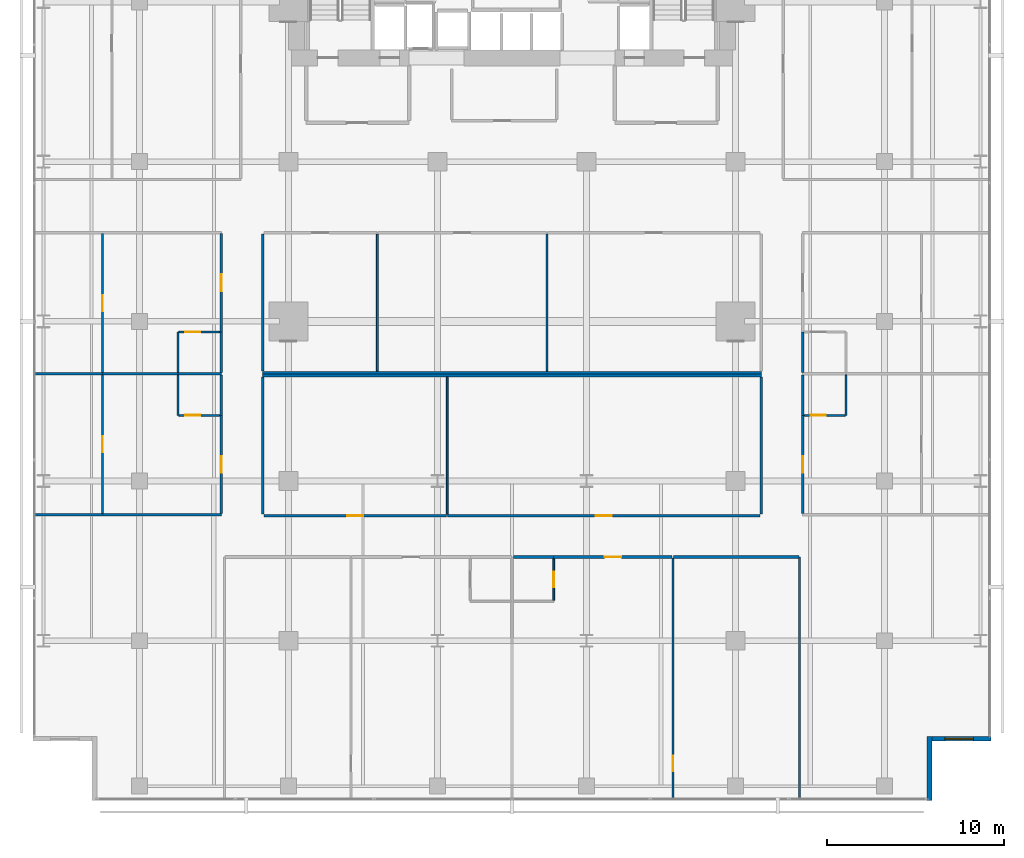
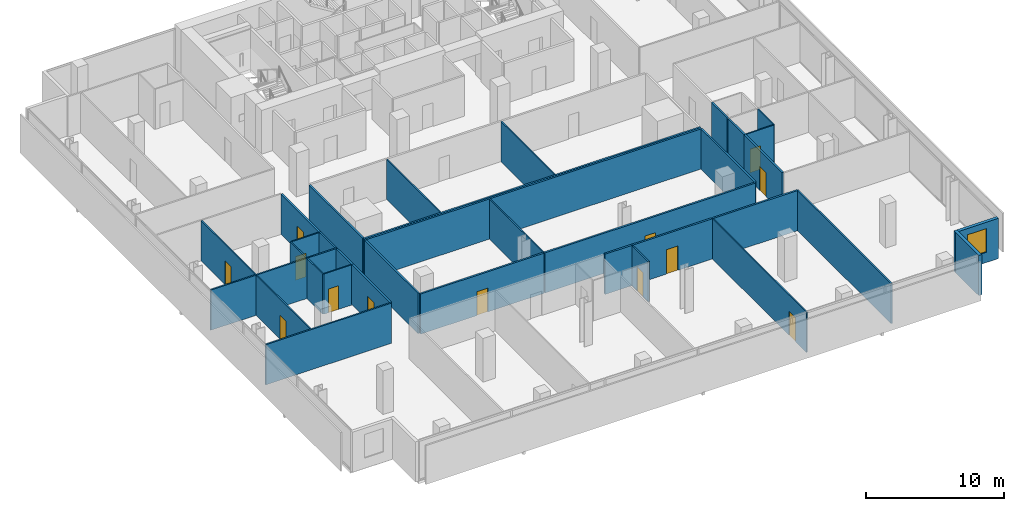
# One storey, part 33 of 39: 35 walls, 13 doors, 1 window, 14 openings.
"""IFC4 building model written with IfcOpenShell, lengths in metres."""

from ifc_helpers import new_model, si_unit, direction, frame, frame_2d, origin, place, context, subcontext, project, spatial, rectangle, extrude, material, layer, layer_set, type_object, element, fill, save


model = new_model("IFC4")

# Units and contexts
model_context = context("Model", 3, precision=1e-05, world=origin(), true_north=direction((0.0, 1.0)))
body_context = subcontext(model_context, "Body", "Model", "MODEL_VIEW")
ifc_project = project(units=[si_unit("LENGTHUNIT", "METRE"), si_unit("AREAUNIT", "SQUARE_METRE"), si_unit("VOLUMEUNIT", "CUBIC_METRE"), si_unit("PLANEANGLEUNIT", "RADIAN"), si_unit("MASSUNIT", "GRAM", prefix="KILO")], contexts=[model_context])

# Site, building, storey
site_placement = place(None, origin())
site = spatial("IfcSite", under=ifc_project, at=site_placement, CompositionType="ELEMENT")
building_placement = place(site_placement, origin())
building = spatial("IfcBuilding", under=site, at=building_placement, Name="Maruvema Waterfront Hotel and Observation Tower", CompositionType="ELEMENT")
storey_placement = place(building_placement, frame((0.0, 0.0, 111.64990234375)))
storey = spatial("IfcBuildingStorey", under=building, at=storey_placement, Name="L27", CompositionType="ELEMENT", Elevation=111.64990234375)

# Walls
ifc_material_1 = material(Name="Twin-stud acoustic gypsum drywall", Category="gypsum")
ifc_layer_1 = layer(ifc_material_1, 0.14990234375, Name="Acoustic Corridor and Suite Demising Wall 150 mm")
ifc_layer_set_1 = layer_set([ifc_layer_1], Name="Twin-stud acoustic gypsum drywall")
wall_type_1 = type_object("IfcWallType", Name="Acoustic Corridor and Suite Demising Wall 150 mm", PredefinedType="PARTITIONING", material=ifc_layer_set_1)
wall_1_placement = place(storey_placement, frame((23.75, 24.110107421875, 0.0), z_axis=(0.0, 0.0, 1.0), x_axis=(1.0, 0.0, 0.0)))
element("IfcWall", 1, at=wall_1_placement, inside=storey, type_object=wall_type_1, Name="L27 L27-INTN Back Wall 016", PredefinedType="PARTITIONING", context=body_context, shape_type="SweptSolid", body=[
    extrude(rectangle(XDim=28.10009765625, YDim=0.14990234375, at=frame_2d((14.050048828125, 0.0))), origin(), (0.0, 0.0, 1.0), 3.550048828125),
])
wall_2_placement = place(storey_placement, frame((23.75, 24.18994140625, 0.0), z_axis=(0.0, 0.0, 1.0), x_axis=(0.0, 1.0, 0.0)))
element("IfcWall", 2, at=wall_2_placement, inside=storey, type_object=wall_type_1, Name="L27 L27-INTN West Wall 017", PredefinedType="PARTITIONING", context=body_context, shape_type="SweptSolid", body=[
    extrude(rectangle(XDim=7.72998046875, YDim=0.14990234375, at=frame_2d((3.864990234375, 0.0))), origin(), (0.0, 0.0, 1.0), 3.550048828125),
])
wall_3_placement = place(storey_placement, frame((23.75, 23.949951171875, 0.0), z_axis=(0.0, 0.0, 1.0), x_axis=(1.0, 0.0, 0.0)))
element("IfcWall", 3, at=wall_3_placement, inside=storey, type_object=wall_type_1, Name="L27 L27-INTS Back Wall 024", PredefinedType="PARTITIONING", context=body_context, shape_type="SweptSolid", body=[
    extrude(rectangle(XDim=28.10009765625, YDim=0.14990234375, at=frame_2d((14.050048828125, 0.0))), origin(), (0.0, 0.0, 1.0), 3.550048828125),
])
for number, where, z_axis, x_axis, name in (
    (4, (23.75, 16.1298828125, 0.0), (0.0, 0.0, 1.0), (0.0, 1.0, 0.0), "L27 L27-INTS West Wall 025"),
    (5, (51.85009765625, 16.1298828125, 0.0), (0.0, 0.0, 1.0), (0.0, 1.0, 0.0), "L27 L27-INTS East Wall 026"),
):
    element("IfcWall", number, at=place(storey_placement, frame(where, z_axis=z_axis, x_axis=x_axis)), inside=storey, type_object=wall_type_1, Name=name, PredefinedType="PARTITIONING", context=body_context, shape_type="SweptSolid", body=[
        extrude(rectangle(XDim=7.740234375, YDim=0.14990234375, at=frame_2d((3.8701171875, 0.0))), origin(), (0.0, 0.0, 1.0), 3.550048828125),
    ])

# Wall, opening, door
wall_4_placement = place(storey_placement, frame((23.81005859375, 16.050048828125, 0.0), z_axis=(0.0, 0.0, 1.0), x_axis=(1.0, 0.0, 0.0)))
wall_4 = element("IfcWall", 6, at=wall_4_placement, inside=storey, type_object=wall_type_1, Name="L27 L27-INTS Front 1 027", PredefinedType="PARTITIONING", context=body_context, shape_type="SweptSolid", body=[
    extrude(rectangle(XDim=10.306884765625, YDim=0.14990234375, at=frame_2d((5.1533203125, 0.0))), origin(), (0.0, 0.0, 1.0), 3.550048828125),
])
opening_1_placement = place(wall_4_placement, frame((4.70361328125, 0.0, 0.0)))
opening_1 = element("IfcOpeningElement", 7, at=opening_1_placement, cuts=wall_4, Name="Opening DR-090", PredefinedType="OPENING", context=body_context, shape_type="SweptSolid", body=[
    extrude(rectangle(XDim=0.89990234375, YDim=2.10009765625, at=frame_2d((0.449951171875, 1.050048828125))), frame((0.0, 0.0849609375, 0.0), z_axis=(0.0, -1.0, 0.0), x_axis=(1.0, 0.0, 0.0)), (0.0, 0.0, 1.0), 0.169921875),
])
ifc_material_2 = material(Name="Solid-core lacquered timber leaf", Category="wood")
door_type_1 = type_object("IfcDoorType", Name="Accessible Toilet and Room Door 900x2100 mm", OperationType="NOTDEFINED", PredefinedType="DOOR", material=ifc_material_2)
door_1_placement = place(opening_1_placement, frame((0.89990234375, 0.0, 0.0), z_axis=(0.0, 0.0, 1.0), x_axis=(-1.0, 0.0, 0.0)))
door_1 = element("IfcDoor", 8, at=door_1_placement, inside=storey, type_object=door_type_1, Name="L27 Ambassador Reception Salon Door", OperationType="SINGLE_SWING_RIGHT", OverallHeight=2.10009765625, OverallWidth=0.89990234375, PredefinedType="DOOR", context=body_context, shape_type="SweptSolid", body=[
    extrude(rectangle(XDim=0.89990234375, YDim=2.10009765625, at=frame_2d((0.449951171875, 1.050048828125))), frame((0.0, 0.02490234375, 0.0), z_axis=(0.0, -1.0, 0.0), x_axis=(1.0, 0.0, 0.0)), (0.0, 0.0, 1.0), 0.050048828125),
])
fill(opening_1, door_1)

wall_5_placement = place(storey_placement, frame((34.177001953125, 16.050048828125, 0.0), z_axis=(0.0, 0.0, 1.0), x_axis=(1.0, 0.0, 0.0)))
wall_5 = element("IfcWall", 9, at=wall_5_placement, inside=storey, type_object=wall_type_1, Name="L27 L27-INTS Front 2 029", PredefinedType="PARTITIONING", context=body_context, shape_type="SweptSolid", body=[
    extrude(rectangle(XDim=17.613037109375, YDim=0.14990234375, at=frame_2d((8.806640625, 0.0))), origin(), (0.0, 0.0, 1.0), 3.550048828125),
])
opening_2_placement = place(wall_5_placement, frame((8.3564453125, 0.0, 0.0)))
opening_2 = element("IfcOpeningElement", 10, at=opening_2_placement, cuts=wall_5, Name="Opening DR-090", PredefinedType="OPENING", context=body_context, shape_type="SweptSolid", body=[
    extrude(rectangle(XDim=0.89990234375, YDim=2.10009765625, at=frame_2d((0.449951171875, 1.050048828125))), frame((0.0, 0.0849609375, 0.0), z_axis=(0.0, -1.0, 0.0), x_axis=(1.0, 0.0, 0.0)), (0.0, 0.0, 1.0), 0.169921875),
])
door_2_placement = place(opening_2_placement, frame((0.89990234375, 0.0, 0.0), z_axis=(0.0, 0.0, 1.0), x_axis=(-1.0, 0.0, 0.0)))
door_2 = element("IfcDoor", 11, at=door_2_placement, inside=storey, type_object=door_type_1, Name="L27 Housekeeping Linen Room Door", OperationType="SINGLE_SWING_LEFT", OverallHeight=2.10009765625, OverallWidth=0.89990234375, PredefinedType="DOOR", context=body_context, shape_type="SweptSolid", body=[
    extrude(rectangle(XDim=0.89990234375, YDim=2.10009765625, at=frame_2d((0.449951171875, 1.050048828125))), frame((0.0, 0.02490234375, 0.0), z_axis=(0.0, -1.0, 0.0), x_axis=(1.0, 0.0, 0.0)), (0.0, 0.0, 1.0), 0.050048828125),
])
fill(opening_2, door_2)

# Wall
wall_6_placement = place(storey_placement, frame((37.8798828125, 13.719970703125, 0.0), z_axis=(0.0, 0.0, 1.0), x_axis=(1.0, 0.0, 0.0)))
element("IfcWall", 12, at=wall_6_placement, inside=storey, type_object=wall_type_1, Name="L27 Bath L27-S2 Back Wall 039", PredefinedType="PARTITIONING", context=body_context, shape_type="SweptSolid", body=[
    extrude(rectangle(XDim=2.27001953125, YDim=0.14990234375, at=frame_2d((1.135009765625, 0.0))), origin(), (0.0, 0.0, 1.0), 3.550048828125),
])

# Wall, opening, door
wall_7_placement = place(storey_placement, frame((40.14990234375, 13.719970703125, 0.0), z_axis=(0.0, 0.0, 1.0), x_axis=(1.0, 0.0, 0.0)))
wall_7 = element("IfcWall", 13, at=wall_7_placement, inside=storey, type_object=wall_type_1, Name="L27 Unit L27-S2 Corridor Wall 042", PredefinedType="PARTITIONING", context=body_context, shape_type="SweptSolid", body=[
    extrude(rectangle(XDim=6.68212890625, YDim=0.14990234375, at=frame_2d((3.341064453125, 0.0))), origin(), (0.0, 0.0, 1.0), 3.550048828125),
])
opening_3_placement = place(wall_7_placement, frame((2.865966796875, 0.0, 0.0)))
opening_3 = element("IfcOpeningElement", 14, at=opening_3_placement, cuts=wall_7, Name="Opening DR-095", PredefinedType="OPENING", context=body_context, shape_type="SweptSolid", body=[
    extrude(rectangle(XDim=0.949951171875, YDim=2.14990234375, at=frame_2d((0.47509765625, 1.074951171875))), frame((0.0, 0.0849609375, 0.0), z_axis=(0.0, -1.0, 0.0), x_axis=(1.0, 0.0, 0.0)), (0.0, 0.0, 1.0), 0.169921875),
])
ifc_material_3 = material(Name="Acoustic solid-core hardwood timber leaf", Category="wood")
door_type_2 = type_object("IfcDoorType", Name="Guestroom Entrance Fire Door 950x2150 mm", OperationType="NOTDEFINED", PredefinedType="DOOR", material=ifc_material_3)
door_3_placement = place(opening_3_placement, frame((0.949951171875, 0.0, 0.0), z_axis=(0.0, 0.0, 1.0), x_axis=(-1.0, 0.0, 0.0)))
door_3 = element("IfcDoor", 15, at=door_3_placement, inside=storey, type_object=door_type_2, Name="L27 Unit L27-S2 Entrance Door", OperationType="SINGLE_SWING_RIGHT", OverallHeight=2.14990234375, OverallWidth=0.949951171875, PredefinedType="DOOR", context=body_context, shape_type="SweptSolid", body=[
    extrude(rectangle(XDim=0.949951171875, YDim=2.14990234375, at=frame_2d((0.47509765625, 1.074951171875))), frame((0.0, 0.02490234375, 0.0), z_axis=(0.0, -1.0, 0.0), x_axis=(1.0, 0.0, 0.0)), (0.0, 0.0, 1.0), 0.050048828125),
])
fill(opening_3, door_3)

# Wall
wall_8_placement = place(storey_placement, frame((46.912109375, 13.719970703125, 0.0), z_axis=(0.0, 0.0, 1.0), x_axis=(1.0, 0.0, 0.0)))
element("IfcWall", 16, at=wall_8_placement, inside=storey, type_object=wall_type_1, Name="L27 Bedroom L27-S2 Back Wall 043", PredefinedType="PARTITIONING", context=body_context, shape_type="SweptSolid", body=[
    extrude(rectangle(XDim=7.06787109375, YDim=0.14990234375, at=frame_2d((3.533935546875, 0.0))), origin(), (0.0, 0.0, 1.0), 3.550048828125),
])

# Wall, opening, door
wall_9_placement = place(storey_placement, frame((21.419921875, 16.159912109375, 0.0), z_axis=(0.0, 0.0, 1.0), x_axis=(0.0, 1.0, 0.0)))
wall_9 = element("IfcWall", 17, at=wall_9_placement, inside=storey, type_object=wall_type_1, Name="L27 Room L27-W1 Corridor Wall 049", PredefinedType="PARTITIONING", context=body_context, shape_type="SweptSolid", body=[
    extrude(rectangle(XDim=5.5400390625, YDim=0.14990234375, at=frame_2d((2.77001953125, 0.0))), origin(), (0.0, 0.0, 1.0), 3.550048828125),
])
opening_4_placement = place(wall_9_placement, frame((2.294921875, 0.0, 0.0)))
opening_4 = element("IfcOpeningElement", 18, at=opening_4_placement, cuts=wall_9, Name="Opening DR-095", PredefinedType="OPENING", context=body_context, shape_type="SweptSolid", body=[
    extrude(rectangle(XDim=0.949951171875, YDim=2.14990234375, at=frame_2d((0.47509765625, 1.074951171875))), frame((0.0, 0.0849609375, 0.0), z_axis=(0.0, -1.0, 0.0), x_axis=(1.0, 0.0, 0.0)), (0.0, 0.0, 1.0), 0.169921875),
])
door_4_placement = place(opening_4_placement, origin())
door_4 = element("IfcDoor", 19, at=door_4_placement, inside=storey, type_object=door_type_2, Name="L27 Room L27-W1 Entrance Door", OperationType="SINGLE_SWING_LEFT", OverallHeight=2.14990234375, OverallWidth=0.949951171875, PredefinedType="DOOR", context=body_context, shape_type="SweptSolid", body=[
    extrude(rectangle(XDim=0.949951171875, YDim=2.14990234375, at=frame_2d((0.47509765625, 1.074951171875))), frame((0.0, 0.02490234375, 0.0), z_axis=(0.0, -1.0, 0.0), x_axis=(1.0, 0.0, 0.0)), (0.0, 0.0, 1.0), 0.050048828125),
])
fill(opening_4, door_4)

# Wall
wall_10_placement = place(storey_placement, frame((21.419921875, 21.699951171875, 0.0), z_axis=(0.0, 0.0, 1.0), x_axis=(0.0, 1.0, 0.0)))
element("IfcWall", 20, at=wall_10_placement, inside=storey, type_object=wall_type_1, Name="L27 Bath L27-W1 Wall 050", PredefinedType="PARTITIONING", context=body_context, shape_type="SweptSolid", body=[
    extrude(rectangle(XDim=2.2900390625, YDim=0.14990234375, at=frame_2d((1.14501953125, 0.0))), origin(), (0.0, 0.0, 1.0), 3.550048828125),
])

# Wall, opening, door
wall_11_placement = place(storey_placement, frame((54.179931640625, 16.159912109375, 0.0), z_axis=(0.0, 0.0, 1.0), x_axis=(0.0, 1.0, 0.0)))
wall_11 = element("IfcWall", 21, at=wall_11_placement, inside=storey, type_object=wall_type_1, Name="L27 Room L27-E1 Corridor Wall 054", PredefinedType="PARTITIONING", context=body_context, shape_type="SweptSolid", body=[
    extrude(rectangle(XDim=5.5400390625, YDim=0.14990234375, at=frame_2d((2.77001953125, 0.0))), origin(), (0.0, 0.0, 1.0), 3.550048828125),
])
opening_5_placement = place(wall_11_placement, frame((2.294921875, 0.0, 0.0)))
opening_5 = element("IfcOpeningElement", 22, at=opening_5_placement, cuts=wall_11, Name="Opening DR-095", PredefinedType="OPENING", context=body_context, shape_type="SweptSolid", body=[
    extrude(rectangle(XDim=0.949951171875, YDim=2.14990234375, at=frame_2d((0.47509765625, 1.074951171875))), frame((0.0, 0.0849609375, 0.0), z_axis=(0.0, -1.0, 0.0), x_axis=(1.0, 0.0, 0.0)), (0.0, 0.0, 1.0), 0.169921875),
])
door_5_placement = place(opening_5_placement, frame((0.949951171875, 0.0, 0.0), z_axis=(0.0, 0.0, 1.0), x_axis=(-1.0, 0.0, 0.0)))
door_5 = element("IfcDoor", 23, at=door_5_placement, inside=storey, type_object=door_type_2, Name="L27 Room L27-E1 Entrance Door", OperationType="SINGLE_SWING_RIGHT", OverallHeight=2.14990234375, OverallWidth=0.949951171875, PredefinedType="DOOR", context=body_context, shape_type="SweptSolid", body=[
    extrude(rectangle(XDim=0.949951171875, YDim=2.14990234375, at=frame_2d((0.47509765625, 1.074951171875))), frame((0.0, 0.02490234375, 0.0), z_axis=(0.0, -1.0, 0.0), x_axis=(1.0, 0.0, 0.0)), (0.0, 0.0, 1.0), 0.050048828125),
])
fill(opening_5, door_5)

# Walls
wall_12_placement = place(storey_placement, frame((54.179931640625, 21.699951171875, 0.0), z_axis=(0.0, 0.0, 1.0), x_axis=(0.0, 1.0, 0.0)))
element("IfcWall", 24, at=wall_12_placement, inside=storey, type_object=wall_type_1, Name="L27 Bath L27-E1 Wall 055", PredefinedType="PARTITIONING", context=body_context, shape_type="SweptSolid", body=[
    extrude(rectangle(XDim=2.2900390625, YDim=0.14990234375, at=frame_2d((1.14501953125, 0.0))), origin(), (0.0, 0.0, 1.0), 3.550048828125),
])
wall_13_placement = place(storey_placement, frame((21.419921875, 24.110107421875, 0.0), z_axis=(0.0, 0.0, 1.0), x_axis=(0.0, 1.0, 0.0)))
element("IfcWall", 25, at=wall_13_placement, inside=storey, type_object=wall_type_1, Name="L27 Bath L27-W2 Wall 061", PredefinedType="PARTITIONING", context=body_context, shape_type="SweptSolid", body=[
    extrude(rectangle(XDim=2.289794921875, YDim=0.14990234375, at=frame_2d((1.14501953125, 0.0))), origin(), (0.0, 0.0, 1.0), 3.550048828125),
])

# Wall, opening, door
wall_14_placement = place(storey_placement, frame((21.419921875, 26.39990234375, 0.0), z_axis=(0.0, 0.0, 1.0), x_axis=(0.0, 1.0, 0.0)))
wall_14 = element("IfcWall", 26, at=wall_14_placement, inside=storey, type_object=wall_type_1, Name="L27 Room L27-W2 Corridor Wall 062", PredefinedType="PARTITIONING", context=body_context, shape_type="SweptSolid", body=[
    extrude(rectangle(XDim=5.5400390625, YDim=0.14990234375, at=frame_2d((2.77001953125, 0.0))), origin(), (0.0, 0.0, 1.0), 3.550048828125),
])
opening_6_placement = place(wall_14_placement, frame((2.294921875, 0.0, 0.0)))
opening_6 = element("IfcOpeningElement", 27, at=opening_6_placement, cuts=wall_14, Name="Opening DR-095", PredefinedType="OPENING", context=body_context, shape_type="SweptSolid", body=[
    extrude(rectangle(XDim=0.949951171875, YDim=2.14990234375, at=frame_2d((0.47509765625, 1.074951171875))), frame((0.0, 0.0849609375, 0.0), z_axis=(0.0, -1.0, 0.0), x_axis=(1.0, 0.0, 0.0)), (0.0, 0.0, 1.0), 0.169921875),
])
door_6_placement = place(opening_6_placement, origin())
door_6 = element("IfcDoor", 28, at=door_6_placement, inside=storey, type_object=door_type_2, Name="L27 Room L27-W2 Entrance Door", OperationType="SINGLE_SWING_LEFT", OverallHeight=2.14990234375, OverallWidth=0.949951171875, PredefinedType="DOOR", context=body_context, shape_type="SweptSolid", body=[
    extrude(rectangle(XDim=0.949951171875, YDim=2.14990234375, at=frame_2d((0.47509765625, 1.074951171875))), frame((0.0, 0.02490234375, 0.0), z_axis=(0.0, -1.0, 0.0), x_axis=(1.0, 0.0, 0.0)), (0.0, 0.0, 1.0), 0.050048828125),
])
fill(opening_6, door_6)

# Walls
wall_15_placement = place(storey_placement, frame((54.179931640625, 24.110107421875, 0.0), z_axis=(0.0, 0.0, 1.0), x_axis=(0.0, 1.0, 0.0)))
element("IfcWall", 29, at=wall_15_placement, inside=storey, type_object=wall_type_1, Name="L27 Bath L27-E2 Wall 066", PredefinedType="PARTITIONING", context=body_context, shape_type="SweptSolid", body=[
    extrude(rectangle(XDim=2.289794921875, YDim=0.14990234375, at=frame_2d((1.14501953125, 0.0))), origin(), (0.0, 0.0, 1.0), 3.550048828125),
])
ifc_material_4 = material(Name="Moisture-resistant cement-board drywall", Category="gypsum")
ifc_layer_2 = layer(ifc_material_4, 0.10009765625, Name="En-Suite Moisture-Resistant Partition 100 mm")
ifc_layer_set_2 = layer_set([ifc_layer_2], Name="Moisture-resistant cement-board drywall")
wall_type_2 = type_object("IfcWallType", Name="En-Suite Moisture-Resistant Partition 100 mm", PredefinedType="PARTITIONING", material=ifc_layer_set_2)
for number, where, z_axis, x_axis, name in (
    (30, (30.212890625, 24.18994140625, 0.0), (0.0, 0.0, 1.0), (0.0, 1.0, 0.0), "L27 L27-INTN Split 1 020"),
    (31, (39.76708984375, 24.18994140625, 0.0), (0.0, 0.0, 1.0), (0.0, 1.0, 0.0), "L27 L27-INTN Split 2 022"),
):
    element("IfcWall", number, at=place(storey_placement, frame(where, z_axis=z_axis, x_axis=x_axis)), inside=storey, type_object=wall_type_2, Name=name, PredefinedType="PARTITIONING", context=body_context, shape_type="SweptSolid", body=[
        extrude(rectangle(XDim=7.72998046875, YDim=0.10009765625, at=frame_2d((3.864990234375, 0.0))), origin(), (0.0, 0.0, 1.0), 3.550048828125),
    ])
wall_16_placement = place(storey_placement, frame((34.14697265625, 16.1298828125, 0.0), z_axis=(0.0, 0.0, 1.0), x_axis=(0.0, 1.0, 0.0)))
element("IfcWall", 32, at=wall_16_placement, inside=storey, type_object=wall_type_2, Name="L27 L27-INTS Split 1 028", PredefinedType="PARTITIONING", context=body_context, shape_type="SweptSolid", body=[
    extrude(rectangle(XDim=7.740234375, YDim=0.10009765625, at=frame_2d((3.8701171875, 0.0))), origin(), (0.0, 0.0, 1.0), 3.550048828125),
])

# Wall, opening, door
wall_17_placement = place(storey_placement, frame((40.14990234375, 11.280029296875, 0.0), z_axis=(0.0, 0.0, 1.0), x_axis=(0.0, 1.0, 0.0)))
wall_17 = element("IfcWall", 33, at=wall_17_placement, inside=storey, type_object=wall_type_2, Name="L27 En-Suite L27-S2 East 041", PredefinedType="PARTITIONING", context=body_context, shape_type="SweptSolid", body=[
    extrude(rectangle(XDim=2.340087890625, YDim=0.10009765625, at=frame_2d((1.169921875, 0.0))), origin(), (0.0, 0.0, 1.0), 3.550048828125),
])
opening_7_placement = place(wall_17_placement, frame((0.7451171875, 0.0, 0.0)))
opening_7 = element("IfcOpeningElement", 34, at=opening_7_placement, cuts=wall_17, Name="Opening DR-085", PredefinedType="OPENING", context=body_context, shape_type="SweptSolid", body=[
    extrude(rectangle(XDim=0.85009765625, YDim=2.10009765625, at=frame_2d((0.425048828125, 1.050048828125))), frame((0.0, 0.06005859375, 0.0), z_axis=(0.0, -1.0, 0.0), x_axis=(1.0, 0.0, 0.0)), (0.0, 0.0, 1.0), 0.1201171875),
])
ifc_material_5 = material(Name="Moisture-resistant solid timber leaf", Category="wood")
door_type_3 = type_object("IfcDoorType", Name="En-Suite Bathroom Door 850x2100 mm", OperationType="NOTDEFINED", PredefinedType="DOOR", material=ifc_material_5)
door_7_placement = place(opening_7_placement, frame((0.85009765625, 0.0, 0.0), z_axis=(0.0, 0.0, 1.0), x_axis=(-1.0, 0.0, 0.0)))
door_7 = element("IfcDoor", 35, at=door_7_placement, inside=storey, type_object=door_type_3, Name="L27 En-Suite L27-S2 Door", OperationType="SINGLE_SWING_LEFT", OverallHeight=2.10009765625, OverallWidth=0.85009765625, PredefinedType="DOOR", context=body_context, shape_type="SweptSolid", body=[
    extrude(rectangle(XDim=0.85009765625, YDim=2.10009765625, at=frame_2d((0.425048828125, 1.050048828125))), frame((0.0, 0.02490234375, 0.0), z_axis=(0.0, -1.0, 0.0), x_axis=(1.0, 0.0, 0.0)), (0.0, 0.0, 1.0), 0.050048828125),
])
fill(opening_7, door_7)

wall_18_placement = place(storey_placement, frame((46.8720703125, 0.030029296875, 0.0), z_axis=(0.0, 0.0, 1.0), x_axis=(0.0, 1.0, 0.0)))
wall_18 = element("IfcWall", 36, at=wall_18_placement, inside=storey, type_object=wall_type_2, Name="L27 Suite L27-S2 Split 044", PredefinedType="PARTITIONING", context=body_context, shape_type="SweptSolid", body=[
    extrude(rectangle(XDim=13.6298828125, YDim=0.10009765625, at=frame_2d((6.81494140625, 0.0))), origin(), (0.0, 0.0, 1.0), 3.550048828125),
])
opening_8_placement = place(wall_18_placement, frame((1.60009765625, 0.0, 0.0)))
opening_8 = element("IfcOpeningElement", 37, at=opening_8_placement, cuts=wall_18, Name="Opening DR-090", PredefinedType="OPENING", context=body_context, shape_type="SweptSolid", body=[
    extrude(rectangle(XDim=0.89990234375, YDim=2.10009765625, at=frame_2d((0.449951171875, 1.050048828125))), frame((0.0, 0.06005859375, 0.0), z_axis=(0.0, -1.0, 0.0), x_axis=(1.0, 0.0, 0.0)), (0.0, 0.0, 1.0), 0.1201171875),
])
door_8_placement = place(opening_8_placement, origin())
door_8 = element("IfcDoor", 38, at=door_8_placement, inside=storey, type_object=door_type_1, Name="L27 Suite L27-S2 Bedroom Door", OperationType="SINGLE_SWING_LEFT", OverallHeight=2.10009765625, OverallWidth=0.89990234375, PredefinedType="DOOR", context=body_context, shape_type="SweptSolid", body=[
    extrude(rectangle(XDim=0.89990234375, YDim=2.10009765625, at=frame_2d((0.449951171875, 1.050048828125))), frame((0.0, 0.02490234375, 0.0), z_axis=(0.0, -1.0, 0.0), x_axis=(1.0, 0.0, 0.0)), (0.0, 0.0, 1.0), 0.050048828125),
])
fill(opening_8, door_8)

# Wall
wall_19_placement = place(storey_placement, frame((18.969970703125, 21.699951171875, 0.0), z_axis=(0.0, 0.0, 1.0), x_axis=(0.0, 1.0, 0.0)))
element("IfcWall", 39, at=wall_19_placement, inside=storey, type_object=wall_type_2, Name="L27 En-Suite L27-W1 W 051", PredefinedType="PARTITIONING", context=body_context, shape_type="SweptSolid", body=[
    extrude(rectangle(XDim=2.2900390625, YDim=0.10009765625, at=frame_2d((1.14501953125, 0.0))), origin(), (0.0, 0.0, 1.0), 3.550048828125),
])

# Wall, opening, door
wall_20_placement = place(storey_placement, frame((19.02001953125, 21.699951171875, 0.0), z_axis=(0.0, 0.0, 1.0), x_axis=(1.0, 0.0, 0.0)))
wall_20 = element("IfcWall", 40, at=wall_20_placement, inside=storey, type_object=wall_type_2, Name="L27 En-Suite L27-W1 S 052", PredefinedType="PARTITIONING", context=body_context, shape_type="SweptSolid", body=[
    extrude(rectangle(XDim=2.300048828125, YDim=0.10009765625, at=frame_2d((1.14990234375, 0.0))), origin(), (0.0, 0.0, 1.0), 3.550048828125),
])
opening_9_placement = place(wall_20_placement, frame((0.35009765625, 0.0, 0.0)))
opening_9 = element("IfcOpeningElement", 41, at=opening_9_placement, cuts=wall_20, Name="Opening DR-085", PredefinedType="OPENING", context=body_context, shape_type="SweptSolid", body=[
    extrude(rectangle(XDim=0.85009765625, YDim=2.10009765625, at=frame_2d((0.425048828125, 1.050048828125))), frame((0.0, 0.06005859375, 0.0), z_axis=(0.0, -1.0, 0.0), x_axis=(1.0, 0.0, 0.0)), (0.0, 0.0, 1.0), 0.1201171875),
])
door_9_placement = place(opening_9_placement, frame((0.85009765625, 0.0, 0.0), z_axis=(0.0, 0.0, 1.0), x_axis=(-1.0, 0.0, 0.0)))
door_9 = element("IfcDoor", 42, at=door_9_placement, inside=storey, type_object=door_type_3, Name="L27 En-Suite L27-W1 Door", OperationType="SINGLE_SWING_RIGHT", OverallHeight=2.10009765625, OverallWidth=0.85009765625, PredefinedType="DOOR", context=body_context, shape_type="SweptSolid", body=[
    extrude(rectangle(XDim=0.85009765625, YDim=2.10009765625, at=frame_2d((0.425048828125, 1.050048828125))), frame((0.0, 0.02490234375, 0.0), z_axis=(0.0, -1.0, 0.0), x_axis=(1.0, 0.0, 0.0)), (0.0, 0.0, 1.0), 0.050048828125),
])
fill(opening_9, door_9)

wall_21_placement = place(storey_placement, frame((14.7216796875, 16.159912109375, 0.0), z_axis=(0.0, 0.0, 1.0), x_axis=(0.0, 1.0, 0.0)))
wall_21 = element("IfcWall", 43, at=wall_21_placement, inside=storey, type_object=wall_type_2, Name="L27 Suite L27-W1 Split 053", PredefinedType="PARTITIONING", context=body_context, shape_type="SweptSolid", body=[
    extrude(rectangle(XDim=7.830078125, YDim=0.10009765625, at=frame_2d((3.9150390625, 0.0))), origin(), (0.0, 0.0, 1.0), 3.550048828125),
])
opening_10_placement = place(wall_21_placement, frame((3.465087890625, 0.0, 0.0)))
opening_10 = element("IfcOpeningElement", 44, at=opening_10_placement, cuts=wall_21, Name="Opening DR-090", PredefinedType="OPENING", context=body_context, shape_type="SweptSolid", body=[
    extrude(rectangle(XDim=0.89990234375, YDim=2.10009765625, at=frame_2d((0.449951171875, 1.050048828125))), frame((0.0, 0.06005859375, 0.0), z_axis=(0.0, -1.0, 0.0), x_axis=(1.0, 0.0, 0.0)), (0.0, 0.0, 1.0), 0.1201171875),
])
door_10_placement = place(opening_10_placement, origin())
door_10 = element("IfcDoor", 45, at=door_10_placement, inside=storey, type_object=door_type_1, Name="L27 Suite L27-W1 Bedroom Door", OperationType="SINGLE_SWING_RIGHT", OverallHeight=2.10009765625, OverallWidth=0.89990234375, PredefinedType="DOOR", context=body_context, shape_type="SweptSolid", body=[
    extrude(rectangle(XDim=0.89990234375, YDim=2.10009765625, at=frame_2d((0.449951171875, 1.050048828125))), frame((0.0, 0.02490234375, 0.0), z_axis=(0.0, -1.0, 0.0), x_axis=(1.0, 0.0, 0.0)), (0.0, 0.0, 1.0), 0.050048828125),
])
fill(opening_10, door_10)

# Wall
wall_22_placement = place(storey_placement, frame((56.6298828125, 21.699951171875, 0.0), z_axis=(0.0, 0.0, 1.0), x_axis=(0.0, 1.0, 0.0)))
element("IfcWall", 46, at=wall_22_placement, inside=storey, type_object=wall_type_2, Name="L27 En-Suite L27-E1 E 056", PredefinedType="PARTITIONING", context=body_context, shape_type="SweptSolid", body=[
    extrude(rectangle(XDim=2.2900390625, YDim=0.10009765625, at=frame_2d((1.14501953125, 0.0))), origin(), (0.0, 0.0, 1.0), 3.550048828125),
])

# Wall, opening, door
wall_23_placement = place(storey_placement, frame((54.280029296875, 21.699951171875, 0.0), z_axis=(0.0, 0.0, 1.0), x_axis=(1.0, 0.0, 0.0)))
wall_23 = element("IfcWall", 47, at=wall_23_placement, inside=storey, type_object=wall_type_2, Name="L27 En-Suite L27-E1 S 057", PredefinedType="PARTITIONING", context=body_context, shape_type="SweptSolid", body=[
    extrude(rectangle(XDim=2.300048828125, YDim=0.10009765625, at=frame_2d((1.14990234375, 0.0))), origin(), (0.0, 0.0, 1.0), 3.550048828125),
])
opening_11_placement = place(wall_23_placement, frame((0.35009765625, 0.0, 0.0)))
opening_11 = element("IfcOpeningElement", 48, at=opening_11_placement, cuts=wall_23, Name="Opening DR-085", PredefinedType="OPENING", context=body_context, shape_type="SweptSolid", body=[
    extrude(rectangle(XDim=0.85009765625, YDim=2.10009765625, at=frame_2d((0.425048828125, 1.050048828125))), frame((0.0, 0.06005859375, 0.0), z_axis=(0.0, -1.0, 0.0), x_axis=(1.0, 0.0, 0.0)), (0.0, 0.0, 1.0), 0.1201171875),
])
door_11_placement = place(opening_11_placement, frame((0.85009765625, 0.0, 0.0), z_axis=(0.0, 0.0, 1.0), x_axis=(-1.0, 0.0, 0.0)))
door_11 = element("IfcDoor", 49, at=door_11_placement, inside=storey, type_object=door_type_3, Name="L27 En-Suite L27-E1 Door", OperationType="SINGLE_SWING_LEFT", OverallHeight=2.10009765625, OverallWidth=0.85009765625, PredefinedType="DOOR", context=body_context, shape_type="SweptSolid", body=[
    extrude(rectangle(XDim=0.85009765625, YDim=2.10009765625, at=frame_2d((0.425048828125, 1.050048828125))), frame((0.0, 0.02490234375, 0.0), z_axis=(0.0, -1.0, 0.0), x_axis=(1.0, 0.0, 0.0)), (0.0, 0.0, 1.0), 0.050048828125),
])
fill(opening_11, door_11)

# Wall
wall_24_placement = place(storey_placement, frame((18.969970703125, 24.110107421875, 0.0), z_axis=(0.0, 0.0, 1.0), x_axis=(0.0, 1.0, 0.0)))
element("IfcWall", 50, at=wall_24_placement, inside=storey, type_object=wall_type_2, Name="L27 En-Suite L27-W2 W 063", PredefinedType="PARTITIONING", context=body_context, shape_type="SweptSolid", body=[
    extrude(rectangle(XDim=2.289794921875, YDim=0.10009765625, at=frame_2d((1.14501953125, 0.0))), origin(), (0.0, 0.0, 1.0), 3.550048828125),
])

# Wall, opening, door
wall_25_placement = place(storey_placement, frame((19.02001953125, 26.39990234375, 0.0), z_axis=(0.0, 0.0, 1.0), x_axis=(1.0, 0.0, 0.0)))
wall_25 = element("IfcWall", 51, at=wall_25_placement, inside=storey, type_object=wall_type_2, Name="L27 En-Suite L27-W2 N 064", PredefinedType="PARTITIONING", context=body_context, shape_type="SweptSolid", body=[
    extrude(rectangle(XDim=2.300048828125, YDim=0.10009765625, at=frame_2d((1.14990234375, 0.0))), origin(), (0.0, 0.0, 1.0), 3.550048828125),
])
opening_12_placement = place(wall_25_placement, frame((0.35009765625, 0.0, 0.0)))
opening_12 = element("IfcOpeningElement", 52, at=opening_12_placement, cuts=wall_25, Name="Opening DR-085", PredefinedType="OPENING", context=body_context, shape_type="SweptSolid", body=[
    extrude(rectangle(XDim=0.85009765625, YDim=2.10009765625, at=frame_2d((0.425048828125, 1.050048828125))), frame((0.0, 0.06005859375, 0.0), z_axis=(0.0, -1.0, 0.0), x_axis=(1.0, 0.0, 0.0)), (0.0, 0.0, 1.0), 0.1201171875),
])
door_12_placement = place(opening_12_placement, origin())
door_12 = element("IfcDoor", 53, at=door_12_placement, inside=storey, type_object=door_type_3, Name="L27 En-Suite L27-W2 Door", OperationType="SINGLE_SWING_RIGHT", OverallHeight=2.10009765625, OverallWidth=0.85009765625, PredefinedType="DOOR", context=body_context, shape_type="SweptSolid", body=[
    extrude(rectangle(XDim=0.85009765625, YDim=2.10009765625, at=frame_2d((0.425048828125, 1.050048828125))), frame((0.0, 0.02490234375, 0.0), z_axis=(0.0, -1.0, 0.0), x_axis=(1.0, 0.0, 0.0)), (0.0, 0.0, 1.0), 0.050048828125),
])
fill(opening_12, door_12)

wall_26_placement = place(storey_placement, frame((14.7216796875, 24.110107421875, 0.0), z_axis=(0.0, 0.0, 1.0), x_axis=(0.0, 1.0, 0.0)))
wall_26 = element("IfcWall", 54, at=wall_26_placement, inside=storey, type_object=wall_type_2, Name="L27 Suite L27-W2 Split 065", PredefinedType="PARTITIONING", context=body_context, shape_type="SweptSolid", body=[
    extrude(rectangle(XDim=7.829833984375, YDim=0.10009765625, at=frame_2d((3.9150390625, 0.0))), origin(), (0.0, 0.0, 1.0), 3.550048828125),
])
opening_13_placement = place(wall_26_placement, frame((3.465087890625, 0.0, 0.0)))
opening_13 = element("IfcOpeningElement", 55, at=opening_13_placement, cuts=wall_26, Name="Opening DR-090", PredefinedType="OPENING", context=body_context, shape_type="SweptSolid", body=[
    extrude(rectangle(XDim=0.89990234375, YDim=2.10009765625, at=frame_2d((0.449951171875, 1.050048828125))), frame((0.0, 0.06005859375, 0.0), z_axis=(0.0, -1.0, 0.0), x_axis=(1.0, 0.0, 0.0)), (0.0, 0.0, 1.0), 0.1201171875),
])
door_13_placement = place(opening_13_placement, origin())
door_13 = element("IfcDoor", 56, at=door_13_placement, inside=storey, type_object=door_type_1, Name="L27 Suite L27-W2 Bedroom Door", OperationType="SINGLE_SWING_RIGHT", OverallHeight=2.10009765625, OverallWidth=0.89990234375, PredefinedType="DOOR", context=body_context, shape_type="SweptSolid", body=[
    extrude(rectangle(XDim=0.89990234375, YDim=2.10009765625, at=frame_2d((0.449951171875, 1.050048828125))), frame((0.0, 0.02490234375, 0.0), z_axis=(0.0, -1.0, 0.0), x_axis=(1.0, 0.0, 0.0)), (0.0, 0.0, 1.0), 0.050048828125),
])
fill(opening_13, door_13)

# Wall
ifc_material_6 = material(Name="Precast concrete C45/55 with honed Pernambuco granite facing", Category="masonry")
ifc_layer_3 = layer(ifc_material_6, 0.260009765625, Name="Exterior Granite Clad Spandrel and Pier Wall 260 mm")
ifc_layer_set_3 = layer_set([ifc_layer_3], Name="Precast concrete C45/55 with honed Pernambuco granite facing")
wall_type_3 = type_object("IfcWallType", Name="Exterior Granite Clad Spandrel and Pier Wall 260 mm", PredefinedType="SOLIDWALL", material=ifc_layer_set_3)
wall_27_placement = place(storey_placement, frame((61.330078125, 3.60009765625, 0.0), z_axis=(0.0, 0.0, 1.0), x_axis=(0.0, -1.0, 0.0)))
element("IfcWall", 57, at=wall_27_placement, inside=storey, type_object=wall_type_3, Name="L27 Corner Notch Granite Pier Wall SE1", PredefinedType="SOLIDWALL", context=body_context, shape_type="SweptSolid", body=[
    extrude(rectangle(XDim=3.60009765625, YDim=0.260009765625, at=frame_2d((1.800048828125, 0.0))), origin(), (0.0, 0.0, 1.0), 3.550048828125),
])

# Wall, opening, window
wall_28_placement = place(storey_placement, frame((64.800048828125, 3.469970703125, 0.0), z_axis=(0.0, 0.0, 1.0), x_axis=(-1.0, 0.0, 0.0)))
wall_28 = element("IfcWall", 58, at=wall_28_placement, inside=storey, type_object=wall_type_3, Name="L27 Corner Notch Granite Pier Wall SE2", PredefinedType="SOLIDWALL", context=body_context, shape_type="SweptSolid", body=[
    extrude(rectangle(XDim=3.60009765625, YDim=0.260009765625, at=frame_2d((1.800048828125, 0.0))), origin(), (0.0, 0.0, 1.0), 3.550048828125),
])
opening_14_placement = place(wall_28_placement, frame((1.0, 0.0, 0.89990234375)))
opening_14 = element("IfcOpeningElement", 59, at=opening_14_placement, cuts=wall_28, Name="Opening WN-01", PredefinedType="OPENING", context=body_context, shape_type="SweptSolid", body=[
    extrude(rectangle(XDim=1.60009765625, YDim=2.10009765625, at=frame_2d((0.800048828125, 1.050048828125))), frame((0.0, 0.14013671875, 0.0), z_axis=(0.0, -1.0, 0.0), x_axis=(1.0, 0.0, 0.0)), (0.0, 0.0, 1.0), 0.280029296875),
])
ifc_material_7 = material(Name="Anodised bronze aluminium frame with laminated low-E glass", Category="aluminium")
window_type = type_object("IfcWindowType", Name="Corner Notch Feature Window 1600x2100 mm", PartitioningType="SINGLE_PANEL", PredefinedType="WINDOW", material=ifc_material_7)
window_placement = place(opening_14_placement, origin())
window = element("IfcWindow", 60, at=window_placement, inside=storey, type_object=window_type, Name="L27 Corner Notch Punched Window SE2", OverallHeight=2.10009765625, OverallWidth=1.60009765625, PartitioningType="SINGLE_PANEL", PredefinedType="WINDOW", context=body_context, shape_type="SweptSolid", body=[
    extrude(rectangle(XDim=1.60009765625, YDim=2.10009765625, at=frame_2d((0.800048828125, 1.050048828125))), frame((0.0, 0.030029296875, 0.0), z_axis=(0.0, -1.0, 0.0), x_axis=(1.0, 0.0, 0.0)), (0.0, 0.0, 1.0), 0.06005859375),
])
fill(opening_14, window)

# Walls
ifc_material_8 = material(Name="Acoustic gypsum plasterboard drywall", Category="gypsum")
ifc_layer_4 = layer(ifc_material_8, 0.125, Name="Guestroom Acoustic Demising Wall 125 mm")
ifc_layer_set_4 = layer_set([ifc_layer_4], Name="Acoustic gypsum plasterboard drywall")
wall_type_4 = type_object("IfcWallType", Name="Guestroom Acoustic Demising Wall 125 mm", PredefinedType="PARTITIONING", material=ifc_layer_set_4)
wall_29_placement = place(storey_placement, frame((54.0, 0.10009765625, 0.0), z_axis=(0.0, 0.0, 1.0), x_axis=(0.0, 1.0, 0.0)))
element("IfcWall", 61, at=wall_29_placement, inside=storey, type_object=wall_type_4, Name="L27 S East End 031", PredefinedType="PARTITIONING", context=body_context, shape_type="SweptSolid", body=[
    extrude(rectangle(XDim=13.619873046875, YDim=0.125, at=frame_2d((6.81005859375, 0.0))), origin(), (0.0, 0.0, 1.0), 3.550048828125),
])
for number, where, z_axis, x_axis, name in (
    (62, (10.89990234375, 16.10009765625, 0.0), (0.0, 0.0, 1.0), (1.0, 0.0, 0.0), "L27 W Bot End 045"),
    (63, (10.89990234375, 24.050048828125, 0.0), (0.0, 0.0, 1.0), (1.0, 0.0, 0.0), "L27 W Demising 2 059"),
):
    element("IfcWall", number, at=place(storey_placement, frame(where, z_axis=z_axis, x_axis=x_axis)), inside=storey, type_object=wall_type_4, Name=name, PredefinedType="PARTITIONING", context=body_context, shape_type="SweptSolid", body=[
        extrude(rectangle(XDim=10.52001953125, YDim=0.125, at=frame_2d((5.260009765625, 0.0))), origin(), (0.0, 0.0, 1.0), 3.550048828125),
    ])

save(model, "model.ifc")
